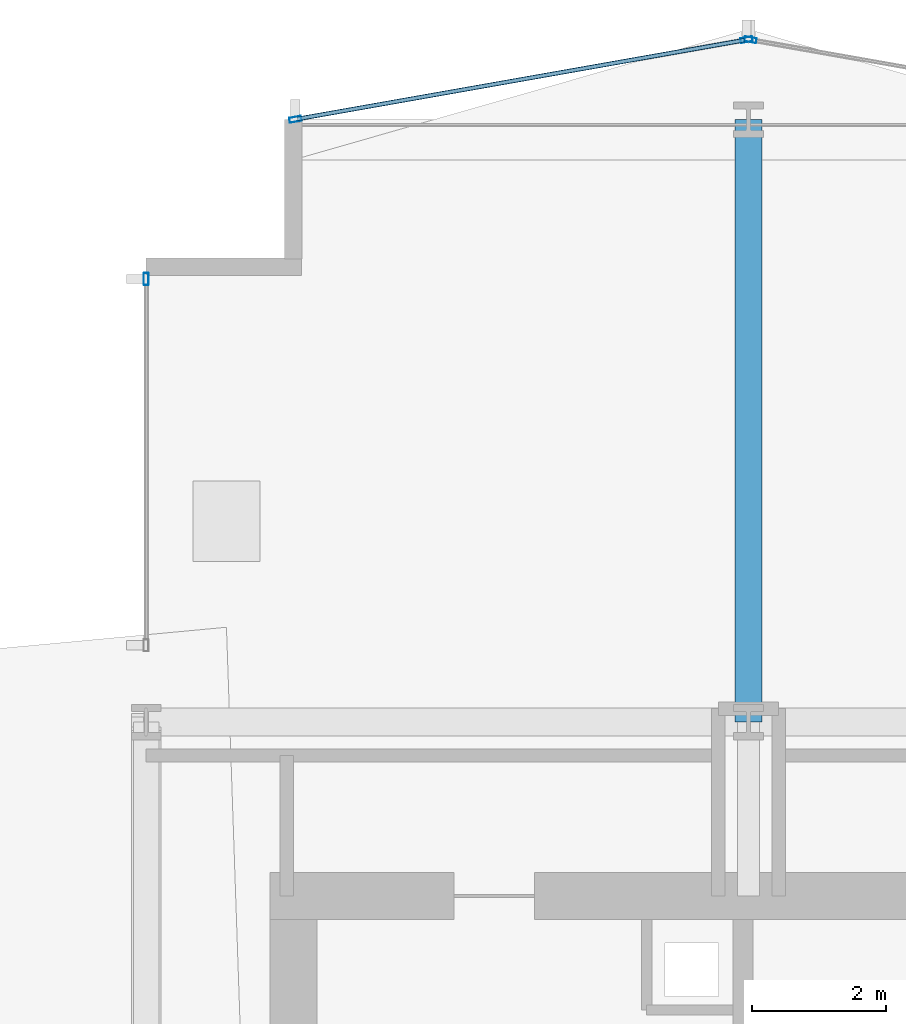
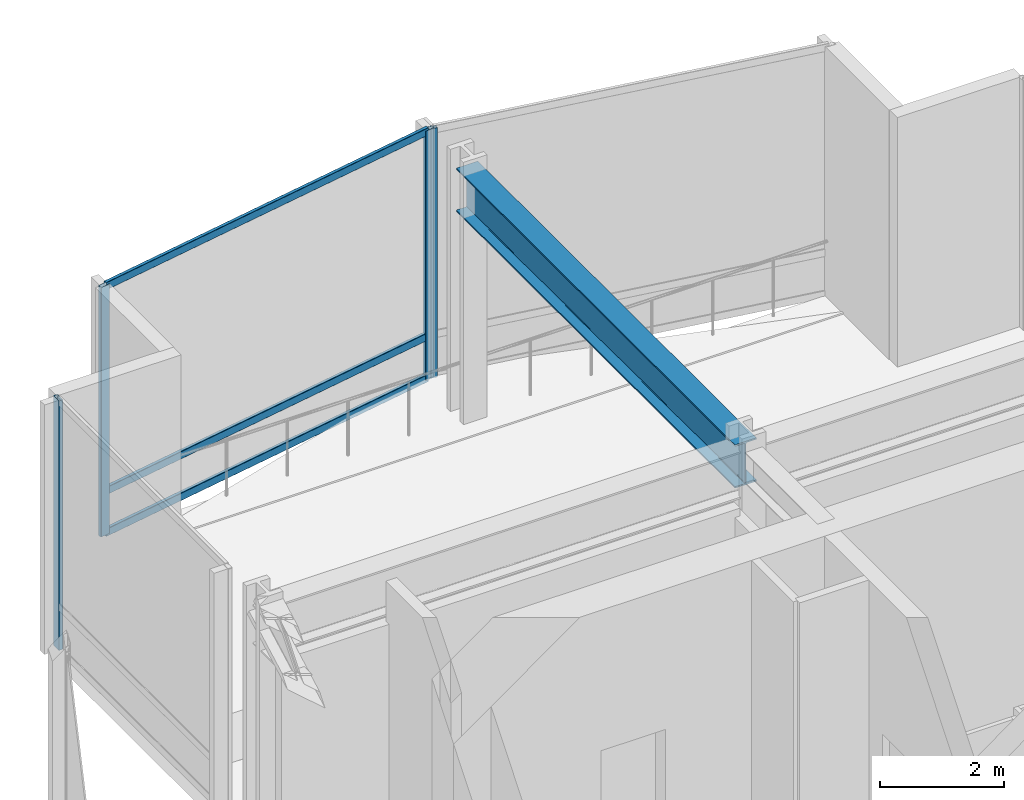
# One storey, part 21 of 37: 7 members, 1 beam, 3 elements without a shape of their own.
"""IFC4 building model written with IfcOpenShell, lengths in metres."""

from ifc_helpers import new_model, si_unit, direction, frame, origin, origin_2d, place, context, subcontext, project, spatial, hollow_rectangle, i_section, extrude, material, layer, layer_set, material_profile, profile_set, type_object, element, aggregate, save


model = new_model("IFC4")

# Units and contexts
model_context = context("Model", 3, precision=1e-05, world=origin(), true_north=direction((0.0, 1.0)))
body_context = subcontext(model_context, "Body", "Model", "MODEL_VIEW")
ifc_project = project(units=[si_unit("LENGTHUNIT", "METRE"), si_unit("AREAUNIT", "SQUARE_METRE"), si_unit("VOLUMEUNIT", "CUBIC_METRE"), si_unit("PLANEANGLEUNIT", "RADIAN"), si_unit("MASSUNIT", "GRAM", prefix="KILO")], contexts=[model_context])

# Site, building, storey
site_placement = place(None, origin())
site = spatial("IfcSite", under=ifc_project, at=site_placement, CompositionType="ELEMENT")
building_placement = place(site_placement, origin())
building = spatial("IfcBuilding", under=site, at=building_placement, Name="Solvaryn Broadcast Tower", CompositionType="ELEMENT")
storey_placement = place(building_placement, frame((0.0, 0.0, 30.800048828125)))
storey = spatial("IfcBuildingStorey", under=building, at=storey_placement, Name="L06", CompositionType="ELEMENT", Elevation=30.800048828125)

# Beam
ifc_material_1 = material(Name="Steel ASTM A992 Grade 50", Category="steel")
ifc_material_profile_1 = material_profile(ifc_material_1, i_section(OverallWidth=0.39990234375, OverallDepth=0.85498046875, WebThickness=0.018310546875, FlangeThickness=0.029296875, FilletRadius=0.02001953125, at=origin_2d()))
ifc_profile_set_1 = profile_set([ifc_material_profile_1], Name="Steel ASTM A992 Grade 50")
beam_type = type_object("IfcBeamType", Name="BM-G3-W33X201", PredefinedType="BEAM", material=ifc_profile_set_1)
beam_placement = place(storey_placement, frame((18.0, 45.0, 4.492431640625), z_axis=(0.0, 1.0, 0.0), x_axis=(-1.0, 0.0, 0.0)))
element("IfcBeam", 1, at=beam_placement, inside=storey, type_object=beam_type, Name="L06 Primary Beam Y (45-54 @ X=18)", PredefinedType="BEAM", context=body_context, shape_type="SweptSolid", body=[
    extrude(i_section(OverallWidth=0.39990234375, OverallDepth=0.85498046875, WebThickness=0.018310546875, FlangeThickness=0.029296875, FilletRadius=0.02001953125, at=origin_2d()), origin(), (0.0, 0.0, 1.0), 9.0),
])

# Curtain wall, member
ifc_material_2 = material(Name="Aluminium and Terracotta Unitised Curtain Wall", Category="masonry")
ifc_layer = layer(ifc_material_2, 0.199951171875)
ifc_layer_set = layer_set([ifc_layer], Name="CW-SYS2-LOWMID")
curtain_wall_type = type_object("IfcCurtainWallType", Name="CW-SYS2-LOWMID", PredefinedType="NOTDEFINED", material=ifc_layer_set)
curtain_wall_1_placement = place(storey_placement, origin())
curtain_wall_1 = element("IfcCurtainWall", 2, at=curtain_wall_1_placement, inside=storey, type_object=curtain_wall_type, Name="L06 Curtain Wall W2", PredefinedType="NOTDEFINED")
ifc_material_3 = material(Name="Anodised Aluminium 6063-T6", Category="aluminium")
ifc_material_profile_2 = material_profile(ifc_material_3, hollow_rectangle(XDim=0.074951171875, YDim=0.179931640625, WallThickness=0.00390625, InnerFilletRadius=0.00390625, OuterFilletRadius=0.008056640625, at=origin_2d()))
ifc_profile_set_2 = profile_set([ifc_material_profile_2], Name="Anodised Aluminium 6063-T6")
member_type_1 = type_object("IfcMemberType", Name="CW-MUL-180", PredefinedType="MULLION", material=ifc_profile_set_2)
member_1_placement = place(storey_placement, frame((9.0, 51.6201171875, 0.0), z_axis=(0.0, 0.0, 1.0), x_axis=(-1.0, 0.0, 0.0)))
member_1 = element("IfcMember", 3, at=member_1_placement, type_object=member_type_1, Name="CWS2 mullion 2", PredefinedType="MULLION", context=body_context, shape_type="SweptSolid", body=[
    extrude(hollow_rectangle(XDim=0.074951171875, YDim=0.179931640625, WallThickness=0.00390625, InnerFilletRadius=0.00390625, OuterFilletRadius=0.008056640625, at=origin_2d()), origin(), (0.0, 0.0, 1.0), 4.919921875),
])
aggregate(curtain_wall_1, [member_1])

curtain_wall_2_placement = place(storey_placement, origin())
curtain_wall_2 = element("IfcCurtainWall", 4, at=curtain_wall_2_placement, inside=storey, type_object=curtain_wall_type, Name="L06 Curtain Wall NT1", PredefinedType="NOTDEFINED")
member_2_placement = place(storey_placement, frame((18.029541015625, 55.19482421875, 0.0), z_axis=(0.0, 0.0, 1.0), x_axis=(-0.173785333901, -0.984783558819, 0.0)))
member_2 = element("IfcMember", 5, at=member_2_placement, type_object=member_type_1, Name="CWS2 mullion 2", PredefinedType="MULLION", context=body_context, shape_type="SweptSolid", body=[
    extrude(hollow_rectangle(XDim=0.074951171875, YDim=0.179931640625, WallThickness=0.00390625, InnerFilletRadius=0.00390625, OuterFilletRadius=0.008056640625, at=origin_2d()), origin(), (0.0, 0.0, 1.0), 4.919921875),
])
aggregate(curtain_wall_2, [member_2])

# Curtain wall, members
curtain_wall_3_placement = place(storey_placement, origin())
curtain_wall_3 = element("IfcCurtainWall", 6, at=curtain_wall_3_placement, inside=storey, type_object=curtain_wall_type, Name="L06 Curtain Wall NT2", PredefinedType="NOTDEFINED")
member_3_placement = place(storey_placement, frame((17.970458984375, 55.19482421875, 0.0), z_axis=(0.0, 0.0, 1.0), x_axis=(0.173785333901, -0.984783558819, 0.0)))
member_3 = element("IfcMember", 7, at=member_3_placement, type_object=member_type_1, Name="CWS2 mullion 1", PredefinedType="MULLION", context=body_context, shape_type="SweptSolid", body=[
    extrude(hollow_rectangle(XDim=0.074951171875, YDim=0.179931640625, WallThickness=0.00390625, InnerFilletRadius=0.00390625, OuterFilletRadius=0.008056640625, at=origin_2d()), origin(), (0.0, 0.0, 1.0), 4.919921875),
])
member_4_placement = place(storey_placement, frame((11.2294921875, 54.005126953125, 0.0), z_axis=(0.0, 0.0, 1.0), x_axis=(0.173785333901, -0.984783558819, 0.0)))
member_4 = element("IfcMember", 8, at=member_4_placement, type_object=member_type_1, Name="CWS2 mullion 2", PredefinedType="MULLION", context=body_context, shape_type="SweptSolid", body=[
    extrude(hollow_rectangle(XDim=0.074951171875, YDim=0.179931640625, WallThickness=0.00390625, InnerFilletRadius=0.00390625, OuterFilletRadius=0.008056640625, at=origin_2d()), origin(), (0.0, 0.0, 1.0), 4.919921875),
])
ifc_material_4 = material(Name="Anodised Aluminium 6063-T6", Category="aluminium")
ifc_material_profile_3 = material_profile(ifc_material_4, hollow_rectangle(XDim=0.06494140625, YDim=0.14990234375, WallThickness=0.00390625, InnerFilletRadius=0.00390625, OuterFilletRadius=0.008056640625, at=origin_2d()))
ifc_profile_set_3 = profile_set([ifc_material_profile_3], Name="Anodised Aluminium 6063-T6")
member_type_2 = type_object("IfcMemberType", Name="CW-TRN-150", PredefinedType="USERDEFINED", material=ifc_profile_set_3)
member_5_placement = place(storey_placement, frame((17.94091796875, 55.189453125, 0.030029296875), z_axis=(-0.984788629673, -0.173756596613, 0.0), x_axis=(0.173756596613, -0.984788629673, 0.0)))
member_5 = element("IfcMember", 9, at=member_5_placement, type_object=member_type_2, Name="CWS2 transom 1.1", ObjectType="TRANSOM", PredefinedType="USERDEFINED", context=body_context, shape_type="SweptSolid", body=[
    extrude(hollow_rectangle(XDim=0.06494140625, YDim=0.14990234375, WallThickness=0.00390625, InnerFilletRadius=0.00390625, OuterFilletRadius=0.008056640625, at=origin_2d()), origin(), (0.0, 0.0, 1.0), 6.78515625),
])
member_6_placement = place(storey_placement, frame((17.94091796875, 55.189453125, 0.849853515625), z_axis=(-0.984788629673, -0.173756596613, 0.0), x_axis=(0.173756596613, -0.984788629673, 0.0)))
member_6 = element("IfcMember", 10, at=member_6_placement, type_object=member_type_2, Name="CWS2 transom 1.2", ObjectType="TRANSOM", PredefinedType="USERDEFINED", context=body_context, shape_type="SweptSolid", body=[
    extrude(hollow_rectangle(XDim=0.06494140625, YDim=0.14990234375, WallThickness=0.00390625, InnerFilletRadius=0.00390625, OuterFilletRadius=0.008056640625, at=origin_2d()), origin(), (0.0, 0.0, 1.0), 6.78515625),
])
member_7_placement = place(storey_placement, frame((17.94091796875, 55.189453125, 4.889892578125), z_axis=(-0.984788629673, -0.173756596613, 0.0), x_axis=(0.173756596613, -0.984788629673, 0.0)))
member_7 = element("IfcMember", 11, at=member_7_placement, type_object=member_type_2, Name="CWS2 transom 1.3", ObjectType="TRANSOM", PredefinedType="USERDEFINED", context=body_context, shape_type="SweptSolid", body=[
    extrude(hollow_rectangle(XDim=0.06494140625, YDim=0.14990234375, WallThickness=0.00390625, InnerFilletRadius=0.00390625, OuterFilletRadius=0.008056640625, at=origin_2d()), origin(), (0.0, 0.0, 1.0), 6.78515625),
])
aggregate(curtain_wall_3, [member_3, member_4, member_5, member_6, member_7])

save(model, "model.ifc")
